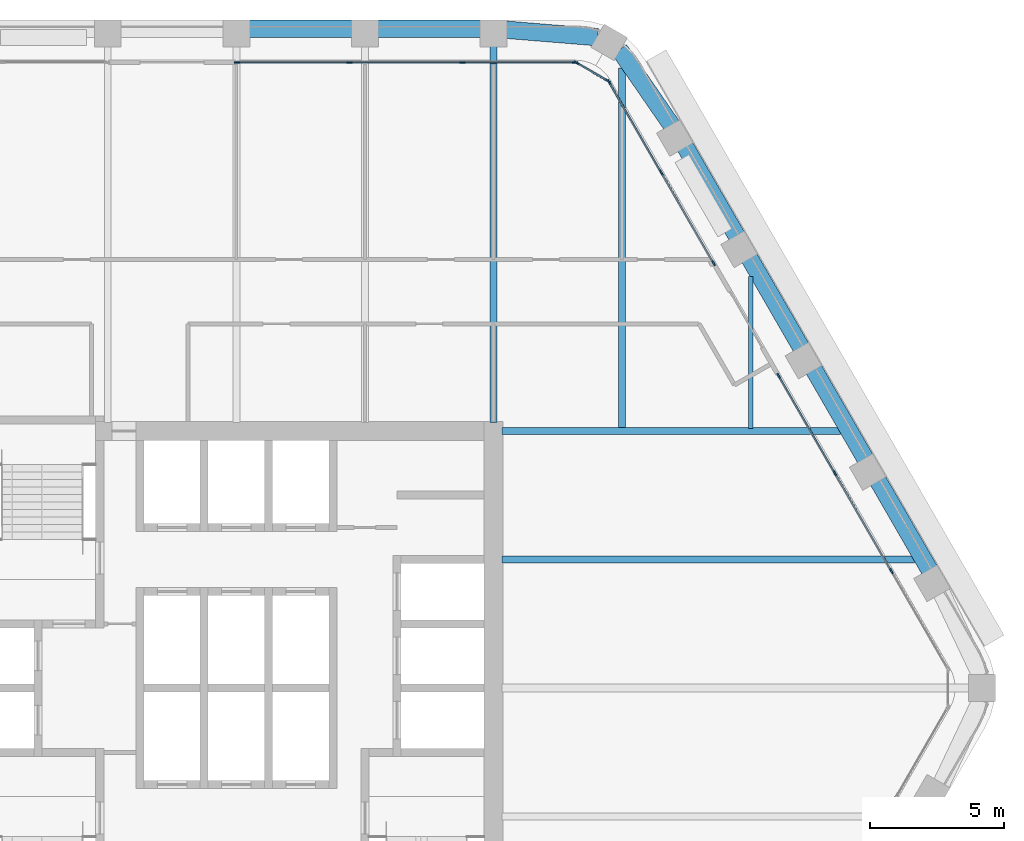
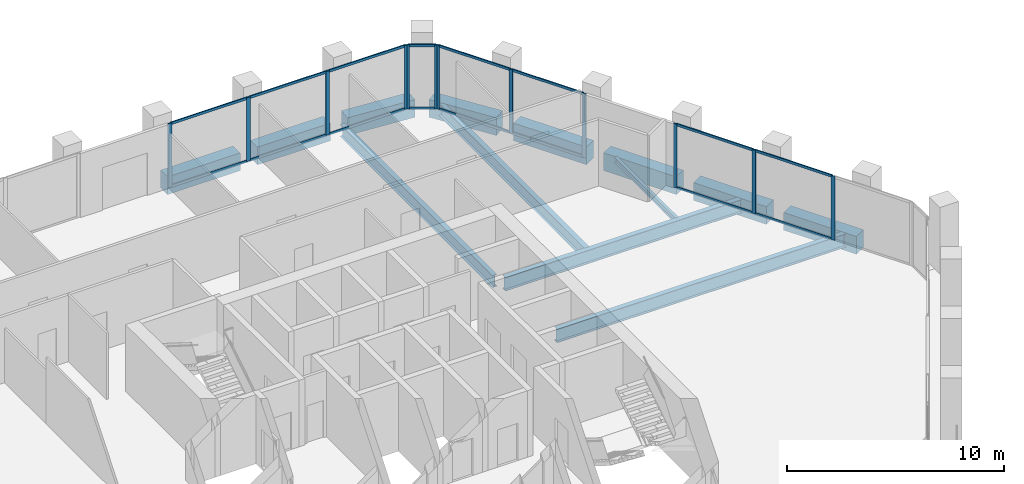
# One storey, part 7 of 16: 28 members, 13 beams, 4 elements without a shape of their own.
"""IFC4 building model written with IfcOpenShell, lengths in metres."""

from ifc_helpers import new_model, si_unit, direction, frame, origin, origin_2d, place, context, subcontext, project, spatial, rectangle, i_section, extrude, material, material_profile, profile_set, type_object, element, aggregate, save


model = new_model("IFC4")

# Units and contexts
model_context = context("Model", 3, precision=1e-05, world=origin(), true_north=direction((0.0, 1.0)))
body_context = subcontext(model_context, "Body", "Model", "MODEL_VIEW")
ifc_project = project(units=[si_unit("LENGTHUNIT", "METRE"), si_unit("AREAUNIT", "SQUARE_METRE"), si_unit("VOLUMEUNIT", "CUBIC_METRE"), si_unit("PLANEANGLEUNIT", "RADIAN"), si_unit("MASSUNIT", "GRAM", prefix="KILO")], contexts=[model_context])

# Site, building, storey
site_placement = place(None, origin())
site = spatial("IfcSite", under=ifc_project, at=site_placement, CompositionType="ELEMENT")
building_placement = place(site_placement, origin())
building = spatial("IfcBuilding", under=site, at=building_placement, Name="Kolab Exchange Tower", CompositionType="ELEMENT")
storey_placement = place(building_placement, frame((0.0, 0.0, 209.0)))
storey = spatial("IfcBuildingStorey", under=building, at=storey_placement, Name="L45", CompositionType="ELEMENT", Elevation=209.0)

# Beams
ifc_material_1 = material(Name="Steel S355", Category="steel")
ifc_material_profile_1 = material_profile(ifc_material_1, i_section(OverallWidth=0.1650390625, OverallDepth=0.31005859375, WebThickness=0.005859375, FlangeThickness=0.009765625, at=origin_2d()), Name="W310X39")
ifc_profile_set_1 = profile_set([ifc_material_profile_1], Name="Steel S355")
beam_type_1 = type_object("IfcBeamType", Name="FLOOR BEAM W310X39", PredefinedType="BEAM", material=ifc_profile_set_1)
beam_1_placement = place(storey_placement, frame((19.199951171875, 9.693603515625, -0.304931640625), z_axis=(0.0, 1.0, 0.0), x_axis=(-1.0, 0.0, 0.0)))
element("IfcBeam", 1, at=beam_1_placement, inside=storey, type_object=beam_type_1, Name="beam/L45/fr/023", PredefinedType="BEAM", context=body_context, shape_type="SweptSolid", body=[
    extrude(i_section(OverallWidth=0.1650390625, OverallDepth=0.31005859375, WebThickness=0.005859375, FlangeThickness=0.009765625, at=origin_2d()), origin(), (0.0, 0.0, 1.0), 5.674072265625),
])
ifc_material_profile_2 = material_profile(ifc_material_1, i_section(OverallWidth=0.25390625, OverallDepth=0.68408203125, WebThickness=0.012451171875, FlangeThickness=0.018798828125, at=origin_2d()), Name="W690X140")
ifc_profile_set_2 = profile_set([ifc_material_profile_2], Name="Steel S355")
beam_type_2 = type_object("IfcBeamType", Name="FLOOR BEAM W690X140", PredefinedType="BEAM", material=ifc_profile_set_2)
beam_2_placement = place(storey_placement, frame((9.60009765625, 9.909912109375, -0.491943359375), z_axis=(0.0, 1.0, 0.0), x_axis=(-1.0, 0.0, 0.0)))
element("IfcBeam", 2, at=beam_2_placement, inside=storey, type_object=beam_type_2, Name="beam/L45/fr/016", PredefinedType="BEAM", context=body_context, shape_type="SweptSolid", body=[
    extrude(i_section(OverallWidth=0.25390625, OverallDepth=0.68408203125, WebThickness=0.012451171875, FlangeThickness=0.018798828125, at=origin_2d()), origin(), (0.0, 0.0, 1.0), 14.071533203125),
])
beam_3_placement = place(storey_placement, frame((14.39990234375, 9.693603515625, -0.491943359375), z_axis=(0.0, 1.0, 0.0), x_axis=(-1.0, 0.0, 0.0)))
element("IfcBeam", 3, at=beam_3_placement, inside=storey, type_object=beam_type_2, Name="beam/L45/fr/021", PredefinedType="BEAM", context=body_context, shape_type="SweptSolid", body=[
    extrude(i_section(OverallWidth=0.25390625, OverallDepth=0.68408203125, WebThickness=0.012451171875, FlangeThickness=0.018798828125, at=origin_2d()), origin(), (0.0, 0.0, 1.0), 13.462158203125),
])
ifc_material_profile_3 = material_profile(ifc_material_1, i_section(OverallWidth=0.26708984375, OverallDepth=0.761962890625, WebThickness=0.014404296875, FlangeThickness=0.021484375, at=origin_2d()), Name="W760X173")
ifc_profile_set_3 = profile_set([ifc_material_profile_3], Name="Steel S355")
beam_type_3 = type_object("IfcBeamType", Name="FLOOR BEAM W760X173", PredefinedType="BEAM", material=ifc_profile_set_3)
beam_4_placement = place(storey_placement, frame((9.909912109375, 4.800048828125, -0.531005859375), z_axis=(1.0, 0.0, 0.0), x_axis=(0.0, 1.0, 0.0)))
element("IfcBeam", 4, at=beam_4_placement, inside=storey, type_object=beam_type_3, Name="beam/L45/fr/019", PredefinedType="BEAM", context=body_context, shape_type="SweptSolid", body=[
    extrude(i_section(OverallWidth=0.26708984375, OverallDepth=0.761962890625, WebThickness=0.014404296875, FlangeThickness=0.021484375, at=origin_2d()), origin(), (0.0, 0.0, 1.0), 15.408203125),
])
ifc_material_profile_4 = material_profile(ifc_material_1, i_section(OverallWidth=0.26708984375, OverallDepth=0.761962890625, WebThickness=0.014404296875, FlangeThickness=0.021484375, at=origin_2d()), Name="W760X173")
ifc_profile_set_4 = profile_set([ifc_material_profile_4], Name="Steel S355")
beam_type_4 = type_object("IfcBeamType", Name="FLOOR GIRDER W760X173", PredefinedType="BEAM", material=ifc_profile_set_4)
beam_5_placement = place(storey_placement, frame((9.909912109375, 9.60009765625, -0.531005859375), z_axis=(1.0, 0.0, 0.0), x_axis=(0.0, 1.0, 0.0)))
element("IfcBeam", 5, at=beam_5_placement, inside=storey, type_object=beam_type_4, Name="beam/L45/gd/003", PredefinedType="BEAM", context=body_context, shape_type="SweptSolid", body=[
    extrude(i_section(OverallWidth=0.26708984375, OverallDepth=0.761962890625, WebThickness=0.014404296875, FlangeThickness=0.021484375, at=origin_2d()), origin(), (0.0, 0.0, 1.0), 12.636962890625),
])
ifc_material_2 = material(Name="Concrete C60/75", Category="concrete")
ifc_material_profile_5 = material_profile(ifc_material_2, rectangle(XDim=0.64990234375, YDim=1.0, at=origin_2d()), Name="RC650X1000")
ifc_profile_set_5 = profile_set([ifc_material_profile_5], Name="Concrete C60/75")
beam_type_5 = type_object("IfcBeamType", Name="SPANDREL BEAM 650X1000 C60/75", PredefinedType="BEAM", material=ifc_profile_set_5)
beam_6_placement = place(storey_placement, frame((0.4599609375, 24.616455078125, -0.64990234375), z_axis=(1.0, 0.0, 0.0), x_axis=(0.0, 1.0, 0.0)))
element("IfcBeam", 6, at=beam_6_placement, inside=storey, type_object=beam_type_5, Name="beam/L45/sp/F1-04", PredefinedType="BEAM", context=body_context, shape_type="SweptSolid", body=[
    extrude(rectangle(XDim=0.64990234375, YDim=1.0, at=origin_2d()), origin(), (0.0, 0.0, 1.0), 3.880126953125),
])
beam_7_placement = place(storey_placement, frame((5.260009765625, 24.616455078125, -0.64990234375), z_axis=(1.0, 0.0, 0.0), x_axis=(0.0, 1.0, 0.0)))
element("IfcBeam", 7, at=beam_7_placement, inside=storey, type_object=beam_type_5, Name="beam/L45/sp/F1-05", PredefinedType="BEAM", context=body_context, shape_type="SweptSolid", body=[
    extrude(rectangle(XDim=0.64990234375, YDim=1.0, at=origin_2d()), origin(), (0.0, 0.0, 1.0), 3.8798828125),
])
for number, where, z_axis, x_axis, name in (
    (8, (10.06005859375, 24.5791015625, -0.64990234375), (0.996708497182, -0.081068931445, 0.0), (0.081068931445, 0.996708497182, 0.0), "beam/L45/sp/F1-06"),
    (9, (14.29736328125, 23.8359375, -0.64990234375), (0.568572281073, -0.822633309073, 0.0), (0.822633309073, 0.568572281073, 0.0), "beam/L45/sp/F2-01"),
):
    element("IfcBeam", number, at=place(storey_placement, frame(where, z_axis=z_axis, x_axis=x_axis)), inside=storey, type_object=beam_type_5, Name=name, PredefinedType="BEAM", context=body_context, shape_type="SweptSolid", body=[
        extrude(rectangle(XDim=0.64990234375, YDim=1.0, at=origin_2d()), origin(), (0.0, 0.0, 1.0), 3.445068359375),
    ])
beam_8_placement = place(storey_placement, frame((16.74853515625, 20.2236328125, -0.64990234375), z_axis=(0.499996613652, -0.866027358884, 0.0), x_axis=(0.866027358884, 0.499996613652, 0.0)))
element("IfcBeam", 10, at=beam_8_placement, inside=storey, type_object=beam_type_5, Name="beam/L45/sp/F2-02", PredefinedType="BEAM", context=body_context, shape_type="SweptSolid", body=[
    extrude(rectangle(XDim=0.64990234375, YDim=1.0, at=origin_2d()), origin(), (0.0, 0.0, 1.0), 3.8798828125),
])
beam_9_placement = place(storey_placement, frame((19.1484375, 16.06689453125, -0.64990234375), z_axis=(0.50001655835, -0.866015843605, 0.0), x_axis=(0.866015843605, 0.50001655835, 0.0)))
element("IfcBeam", 11, at=beam_9_placement, inside=storey, type_object=beam_type_5, Name="beam/L45/sp/F2-03", PredefinedType="BEAM", context=body_context, shape_type="SweptSolid", body=[
    extrude(rectangle(XDim=0.64990234375, YDim=1.0, at=origin_2d()), origin(), (0.0, 0.0, 1.0), 3.880126953125),
])
for number, where, z_axis, x_axis, name in (
    (12, (21.548583984375, 11.909912109375, -0.64990234375), (0.499996613652, -0.866027358884, 0.0), (0.866027358884, 0.499996613652, 0.0), "beam/L45/sp/F2-04"),
    (13, (23.948486328125, 7.7529296875, -0.64990234375), (0.499996613652, -0.866027358884, 0.0), (0.866027358884, 0.499996613652, 0.0), "beam/L45/sp/F2-05"),
):
    element("IfcBeam", number, at=place(storey_placement, frame(where, z_axis=z_axis, x_axis=x_axis)), inside=storey, type_object=beam_type_5, Name=name, PredefinedType="BEAM", context=body_context, shape_type="SweptSolid", body=[
        extrude(rectangle(XDim=0.64990234375, YDim=1.0, at=origin_2d()), origin(), (0.0, 0.0, 1.0), 3.8798828125),
    ])

# Curtain wall, members
ifc_material_3 = material(Name="Aluminium EN AW-6063 T6", Category="aluminium")
curtain_wall_type = type_object("IfcCurtainWallType", Name="UNITISED UPPER MID ZONE CURTAIN WALL", PredefinedType="NOTDEFINED", material=ifc_material_3)
curtain_wall_1_placement = place(storey_placement, origin())
curtain_wall_1 = element("IfcCurtainWall", 14, at=curtain_wall_1_placement, inside=storey, type_object=curtain_wall_type, Name="cw/L45/F1-2", PredefinedType="NOTDEFINED")
ifc_material_profile_6 = material_profile(ifc_material_3, rectangle(XDim=0.06005859375, YDim=0.199951171875, at=origin_2d()), Name="RECT 60X200")
ifc_profile_set_6 = profile_set([ifc_material_profile_6], Name="Aluminium EN AW-6063 T6")
member_type_1 = type_object("IfcMemberType", Name="UNITISED UPPER MID ZONE MULLION 60 X 200", PredefinedType="MULLION", material=ifc_profile_set_6)
member_1_placement = place(storey_placement, frame((0.030029296875, 23.361572265625, 0.0), z_axis=(0.0, 0.0, 1.0), x_axis=(0.0, 1.0, 0.0)))
member_1 = element("IfcMember", 15, at=member_1_placement, type_object=member_type_1, Name="CW3 mullion 1", PredefinedType="MULLION", context=body_context, shape_type="SweptSolid", body=[
    extrude(rectangle(XDim=0.06005859375, YDim=0.199951171875, at=origin_2d()), origin(), (0.0, 0.0, 1.0), 3.60009765625),
])
member_2_placement = place(storey_placement, frame((4.22265625, 23.361572265625, 0.0), z_axis=(0.0, 0.0, 1.0), x_axis=(0.0, 1.0, 0.0)))
member_2 = element("IfcMember", 16, at=member_2_placement, type_object=member_type_1, Name="CW3 mullion 2", PredefinedType="MULLION", context=body_context, shape_type="SweptSolid", body=[
    extrude(rectangle(XDim=0.06005859375, YDim=0.199951171875, at=origin_2d()), origin(), (0.0, 0.0, 1.0), 3.60009765625),
])
member_3_placement = place(storey_placement, frame((8.4453125, 23.361572265625, 0.0), z_axis=(0.0, 0.0, 1.0), x_axis=(0.0, 1.0, 0.0)))
member_3 = element("IfcMember", 17, at=member_3_placement, type_object=member_type_1, Name="CW3 mullion 3", PredefinedType="MULLION", context=body_context, shape_type="SweptSolid", body=[
    extrude(rectangle(XDim=0.06005859375, YDim=0.199951171875, at=origin_2d()), origin(), (0.0, 0.0, 1.0), 3.60009765625),
])
member_4_placement = place(storey_placement, frame((12.637939453125, 23.361572265625, 0.0), z_axis=(0.0, 0.0, 1.0), x_axis=(0.0, 1.0, 0.0)))
member_4 = element("IfcMember", 18, at=member_4_placement, type_object=member_type_1, Name="CW3 mullion 4", PredefinedType="MULLION", context=body_context, shape_type="SweptSolid", body=[
    extrude(rectangle(XDim=0.06005859375, YDim=0.199951171875, at=origin_2d()), origin(), (0.0, 0.0, 1.0), 3.60009765625),
])

curtain_wall_2_placement = place(storey_placement, origin())
curtain_wall_2 = element("IfcCurtainWall", 19, at=curtain_wall_2_placement, inside=storey, type_object=curtain_wall_type, Name="cw/L45/F2-1", PredefinedType="NOTDEFINED")
member_5_placement = place(storey_placement, frame((13.91259765625, 22.62548828125, 0.0), z_axis=(0.0, 0.0, 1.0), x_axis=(0.866025385493, 0.500000031681, 0.0)))
member_5 = element("IfcMember", 20, at=member_5_placement, type_object=member_type_1, Name="CW3 mullion 1", PredefinedType="MULLION", context=body_context, shape_type="SweptSolid", body=[
    extrude(rectangle(XDim=0.06005859375, YDim=0.199951171875, at=origin_2d()), origin(), (0.0, 0.0, 1.0), 3.60009765625),
])
member_6_placement = place(storey_placement, frame((15.86474609375, 19.24462890625, 0.0), z_axis=(0.0, 0.0, 1.0), x_axis=(0.866025385493, 0.500000031681, 0.0)))
member_6 = element("IfcMember", 21, at=member_6_placement, type_object=member_type_1, Name="CW3 mullion 2", PredefinedType="MULLION", context=body_context, shape_type="SweptSolid", body=[
    extrude(rectangle(XDim=0.06005859375, YDim=0.199951171875, at=origin_2d()), origin(), (0.0, 0.0, 1.0), 3.60009765625),
])
member_7_placement = place(storey_placement, frame((17.816650390625, 15.86376953125, 0.0), z_axis=(0.0, 0.0, 1.0), x_axis=(0.866025385493, 0.500000031681, 0.0)))
member_7 = element("IfcMember", 22, at=member_7_placement, type_object=member_type_1, Name="CW3 mullion 3", PredefinedType="MULLION", context=body_context, shape_type="SweptSolid", body=[
    extrude(rectangle(XDim=0.06005859375, YDim=0.199951171875, at=origin_2d()), origin(), (0.0, 0.0, 1.0), 3.60009765625),
])

curtain_wall_3_placement = place(storey_placement, origin())
curtain_wall_3 = element("IfcCurtainWall", 23, at=curtain_wall_3_placement, inside=storey, type_object=curtain_wall_type, Name="cw/L45/F2-2", PredefinedType="NOTDEFINED")
member_8_placement = place(storey_placement, frame((20.24658203125, 11.65478515625, 0.0), z_axis=(0.0, 0.0, 1.0), x_axis=(0.866025427826, 0.499999958358, 0.0)))
member_8 = element("IfcMember", 24, at=member_8_placement, type_object=member_type_1, Name="CW3 mullion 1", PredefinedType="MULLION", context=body_context, shape_type="SweptSolid", body=[
    extrude(rectangle(XDim=0.06005859375, YDim=0.199951171875, at=origin_2d()), origin(), (0.0, 0.0, 1.0), 3.60009765625),
])
member_9_placement = place(storey_placement, frame((22.343017578125, 8.02392578125, 0.0), z_axis=(0.0, 0.0, 1.0), x_axis=(0.866025427826, 0.499999958358, 0.0)))
member_9 = element("IfcMember", 25, at=member_9_placement, type_object=member_type_1, Name="CW3 mullion 2", PredefinedType="MULLION", context=body_context, shape_type="SweptSolid", body=[
    extrude(rectangle(XDim=0.06005859375, YDim=0.199951171875, at=origin_2d()), origin(), (0.0, 0.0, 1.0), 3.60009765625),
])
member_10_placement = place(storey_placement, frame((24.454345703125, 4.366943359375, 0.0), z_axis=(0.0, 0.0, 1.0), x_axis=(0.866025427826, 0.499999958358, 0.0)))
member_10 = element("IfcMember", 26, at=member_10_placement, type_object=member_type_1, Name="CW3 mullion 3", PredefinedType="MULLION", context=body_context, shape_type="SweptSolid", body=[
    extrude(rectangle(XDim=0.06005859375, YDim=0.199951171875, at=origin_2d()), origin(), (0.0, 0.0, 1.0), 3.60009765625),
])

curtain_wall_4_placement = place(storey_placement, origin())
curtain_wall_4 = element("IfcCurtainWall", 27, at=curtain_wall_4_placement, inside=storey, type_object=curtain_wall_type, Name="cw/L45/F1F2-corner", PredefinedType="NOTDEFINED")
member_11_placement = place(storey_placement, frame((12.69384765625, 23.346435546875, 0.0), z_axis=(0.0, 0.0, 1.0), x_axis=(0.50000002237, 0.866025390869, 0.0)))
member_11 = element("IfcMember", 28, at=member_11_placement, type_object=member_type_1, Name="CW3 mullion 1", PredefinedType="MULLION", context=body_context, shape_type="SweptSolid", body=[
    extrude(rectangle(XDim=0.06005859375, YDim=0.199951171875, at=origin_2d()), origin(), (0.0, 0.0, 1.0), 3.60009765625),
])
member_12_placement = place(storey_placement, frame((13.871826171875, 22.66650390625, 0.0), z_axis=(0.0, 0.0, 1.0), x_axis=(0.50000002237, 0.866025390869, 0.0)))
member_12 = element("IfcMember", 29, at=member_12_placement, type_object=member_type_1, Name="CW3 mullion 2", PredefinedType="MULLION", context=body_context, shape_type="SweptSolid", body=[
    extrude(rectangle(XDim=0.06005859375, YDim=0.199951171875, at=origin_2d()), origin(), (0.0, 0.0, 1.0), 3.60009765625),
])

# Member
ifc_material_profile_7 = material_profile(ifc_material_3, rectangle(XDim=0.06005859375, YDim=0.139892578125, at=origin_2d()), Name="RECT 60X140")
ifc_profile_set_7 = profile_set([ifc_material_profile_7], Name="Aluminium EN AW-6063 T6")
member_type_2 = type_object("IfcMemberType", Name="UNITISED UPPER MID ZONE TRANSOM 60 X 140", PredefinedType="USERDEFINED", material=ifc_profile_set_7)
member_13_placement = place(storey_placement, frame((0.06005859375, 23.361572265625, 0.030029296875), z_axis=(1.0, 0.0, 0.0), x_axis=(0.0, 1.0, 0.0)))
member_13 = element("IfcMember", 30, at=member_13_placement, type_object=member_type_2, Name="CW3 transom 1.1", ObjectType="TRANSOM", PredefinedType="USERDEFINED", context=body_context, shape_type="SweptSolid", body=[
    extrude(rectangle(XDim=0.06005859375, YDim=0.139892578125, at=origin_2d()), origin(), (0.0, 0.0, 1.0), 4.132568359375),
])

member_14_placement = place(storey_placement, frame((0.06005859375, 23.361572265625, 3.570068359375), z_axis=(1.0, 0.0, 0.0), x_axis=(0.0, 1.0, 0.0)))
member_14 = element("IfcMember", 31, at=member_14_placement, type_object=member_type_2, Name="CW3 transom 1.2", ObjectType="TRANSOM", PredefinedType="USERDEFINED", context=body_context, shape_type="SweptSolid", body=[
    extrude(rectangle(XDim=0.06005859375, YDim=0.139892578125, at=origin_2d()), origin(), (0.0, 0.0, 1.0), 4.132568359375),
])

member_15_placement = place(storey_placement, frame((4.252685546875, 23.361572265625, 0.030029296875), z_axis=(1.0, 0.0, 0.0), x_axis=(0.0, 1.0, 0.0)))
member_15 = element("IfcMember", 32, at=member_15_placement, type_object=member_type_2, Name="CW3 transom 2.1", ObjectType="TRANSOM", PredefinedType="USERDEFINED", context=body_context, shape_type="SweptSolid", body=[
    extrude(rectangle(XDim=0.06005859375, YDim=0.139892578125, at=origin_2d()), origin(), (0.0, 0.0, 1.0), 4.16259765625),
])

member_16_placement = place(storey_placement, frame((4.252685546875, 23.361572265625, 3.570068359375), z_axis=(1.0, 0.0, 0.0), x_axis=(0.0, 1.0, 0.0)))
member_16 = element("IfcMember", 33, at=member_16_placement, type_object=member_type_2, Name="CW3 transom 2.2", ObjectType="TRANSOM", PredefinedType="USERDEFINED", context=body_context, shape_type="SweptSolid", body=[
    extrude(rectangle(XDim=0.06005859375, YDim=0.139892578125, at=origin_2d()), origin(), (0.0, 0.0, 1.0), 4.16259765625),
])

member_17_placement = place(storey_placement, frame((8.475341796875, 23.361572265625, 0.030029296875), z_axis=(1.0, 0.0, 0.0), x_axis=(0.0, 1.0, 0.0)))
member_17 = element("IfcMember", 34, at=member_17_placement, type_object=member_type_2, Name="CW3 transom 3.1", ObjectType="TRANSOM", PredefinedType="USERDEFINED", context=body_context, shape_type="SweptSolid", body=[
    extrude(rectangle(XDim=0.06005859375, YDim=0.139892578125, at=origin_2d()), origin(), (0.0, 0.0, 1.0), 4.132568359375),
])

member_18_placement = place(storey_placement, frame((8.475341796875, 23.361572265625, 3.570068359375), z_axis=(1.0, 0.0, 0.0), x_axis=(0.0, 1.0, 0.0)))
member_18 = element("IfcMember", 35, at=member_18_placement, type_object=member_type_2, Name="CW3 transom 3.2", ObjectType="TRANSOM", PredefinedType="USERDEFINED", context=body_context, shape_type="SweptSolid", body=[
    extrude(rectangle(XDim=0.06005859375, YDim=0.139892578125, at=origin_2d()), origin(), (0.0, 0.0, 1.0), 4.132568359375),
])

aggregate(curtain_wall_1, [member_1, member_2, member_3, member_4, member_13, member_14, member_15, member_16, member_17, member_18])

member_19_placement = place(storey_placement, frame((13.927734375, 22.599609375, 0.030029296875), z_axis=(0.499964356602, -0.866045981532, 0.0), x_axis=(0.866045981532, 0.499964356602, 0.0)))
member_19 = element("IfcMember", 36, at=member_19_placement, type_object=member_type_2, Name="CW3 transom 1.1", ObjectType="TRANSOM", PredefinedType="USERDEFINED", context=body_context, shape_type="SweptSolid", body=[
    extrude(rectangle(XDim=0.06005859375, YDim=0.139892578125, at=origin_2d()), origin(), (0.0, 0.0, 1.0), 3.843994140625),
])

member_20_placement = place(storey_placement, frame((13.927734375, 22.599609375, 3.570068359375), z_axis=(0.499964356602, -0.866045981532, 0.0), x_axis=(0.866045981532, 0.499964356602, 0.0)))
member_20 = element("IfcMember", 37, at=member_20_placement, type_object=member_type_2, Name="CW3 transom 1.2", ObjectType="TRANSOM", PredefinedType="USERDEFINED", context=body_context, shape_type="SweptSolid", body=[
    extrude(rectangle(XDim=0.06005859375, YDim=0.139892578125, at=origin_2d()), origin(), (0.0, 0.0, 1.0), 3.843994140625),
])

member_21_placement = place(storey_placement, frame((15.879638671875, 19.21875, 0.030029296875), z_axis=(0.500011990396, -0.866018481016, 0.0), x_axis=(0.866018481016, 0.500011990396, 0.0)))
member_21 = element("IfcMember", 38, at=member_21_placement, type_object=member_type_2, Name="CW3 transom 2.1", ObjectType="TRANSOM", PredefinedType="USERDEFINED", context=body_context, shape_type="SweptSolid", body=[
    extrude(rectangle(XDim=0.06005859375, YDim=0.139892578125, at=origin_2d()), origin(), (0.0, 0.0, 1.0), 3.84423828125),
])

member_22_placement = place(storey_placement, frame((15.879638671875, 19.21875, 3.570068359375), z_axis=(0.500011990396, -0.866018481016, 0.0), x_axis=(0.866018481016, 0.500011990396, 0.0)))
member_22 = element("IfcMember", 39, at=member_22_placement, type_object=member_type_2, Name="CW3 transom 2.2", ObjectType="TRANSOM", PredefinedType="USERDEFINED", context=body_context, shape_type="SweptSolid", body=[
    extrude(rectangle(XDim=0.06005859375, YDim=0.139892578125, at=origin_2d()), origin(), (0.0, 0.0, 1.0), 3.84423828125),
])

aggregate(curtain_wall_2, [member_5, member_6, member_7, member_19, member_20, member_21, member_22])

member_23_placement = place(storey_placement, frame((20.26171875, 11.62890625, 0.030029296875), z_axis=(0.500001996123, -0.866024251319, 0.0), x_axis=(0.866024251319, 0.500001996123, 0.0)))
member_23 = element("IfcMember", 40, at=member_23_placement, type_object=member_type_2, Name="CW3 transom 1.1", ObjectType="TRANSOM", PredefinedType="USERDEFINED", context=body_context, shape_type="SweptSolid", body=[
    extrude(rectangle(XDim=0.06005859375, YDim=0.139892578125, at=origin_2d()), origin(), (0.0, 0.0, 1.0), 4.1328125),
])

member_24_placement = place(storey_placement, frame((20.26171875, 11.62890625, 3.570068359375), z_axis=(0.500001996123, -0.866024251319, 0.0), x_axis=(0.866024251319, 0.500001996123, 0.0)))
member_24 = element("IfcMember", 41, at=member_24_placement, type_object=member_type_2, Name="CW3 transom 1.2", ObjectType="TRANSOM", PredefinedType="USERDEFINED", context=body_context, shape_type="SweptSolid", body=[
    extrude(rectangle(XDim=0.06005859375, YDim=0.139892578125, at=origin_2d()), origin(), (0.0, 0.0, 1.0), 4.1328125),
])

member_25_placement = place(storey_placement, frame((22.35791015625, 7.997802734375, 0.030029296875), z_axis=(0.49999322259, -0.866029316688, 0.0), x_axis=(0.866029316688, 0.49999322259, 0.0)))
member_25 = element("IfcMember", 42, at=member_25_placement, type_object=member_type_2, Name="CW3 transom 2.1", ObjectType="TRANSOM", PredefinedType="USERDEFINED", context=body_context, shape_type="SweptSolid", body=[
    extrude(rectangle(XDim=0.06005859375, YDim=0.139892578125, at=origin_2d()), origin(), (0.0, 0.0, 1.0), 4.16259765625),
])

member_26_placement = place(storey_placement, frame((22.35791015625, 7.997802734375, 3.570068359375), z_axis=(0.49999322259, -0.866029316688, 0.0), x_axis=(0.866029316688, 0.49999322259, 0.0)))
member_26 = element("IfcMember", 43, at=member_26_placement, type_object=member_type_2, Name="CW3 transom 2.2", ObjectType="TRANSOM", PredefinedType="USERDEFINED", context=body_context, shape_type="SweptSolid", body=[
    extrude(rectangle(XDim=0.06005859375, YDim=0.139892578125, at=origin_2d()), origin(), (0.0, 0.0, 1.0), 4.16259765625),
])

aggregate(curtain_wall_3, [member_8, member_9, member_10, member_23, member_24, member_25, member_26])

member_27_placement = place(storey_placement, frame((12.719970703125, 23.33154296875, 0.030029296875), z_axis=(0.86603858612, -0.49997716683, 0.0), x_axis=(0.49997716683, 0.86603858612, 0.0)))
member_27 = element("IfcMember", 44, at=member_27_placement, type_object=member_type_2, Name="CW3 transom 1.1", ObjectType="TRANSOM", PredefinedType="USERDEFINED", context=body_context, shape_type="SweptSolid", body=[
    extrude(rectangle(XDim=0.06005859375, YDim=0.139892578125, at=origin_2d()), origin(), (0.0, 0.0, 1.0), 1.2998046875),
])

member_28_placement = place(storey_placement, frame((12.719970703125, 23.33154296875, 3.570068359375), z_axis=(0.86603858612, -0.49997716683, 0.0), x_axis=(0.49997716683, 0.86603858612, 0.0)))
member_28 = element("IfcMember", 45, at=member_28_placement, type_object=member_type_2, Name="CW3 transom 1.2", ObjectType="TRANSOM", PredefinedType="USERDEFINED", context=body_context, shape_type="SweptSolid", body=[
    extrude(rectangle(XDim=0.06005859375, YDim=0.139892578125, at=origin_2d()), origin(), (0.0, 0.0, 1.0), 1.2998046875),
])

aggregate(curtain_wall_4, [member_11, member_12, member_27, member_28])

save(model, "model.ifc")
